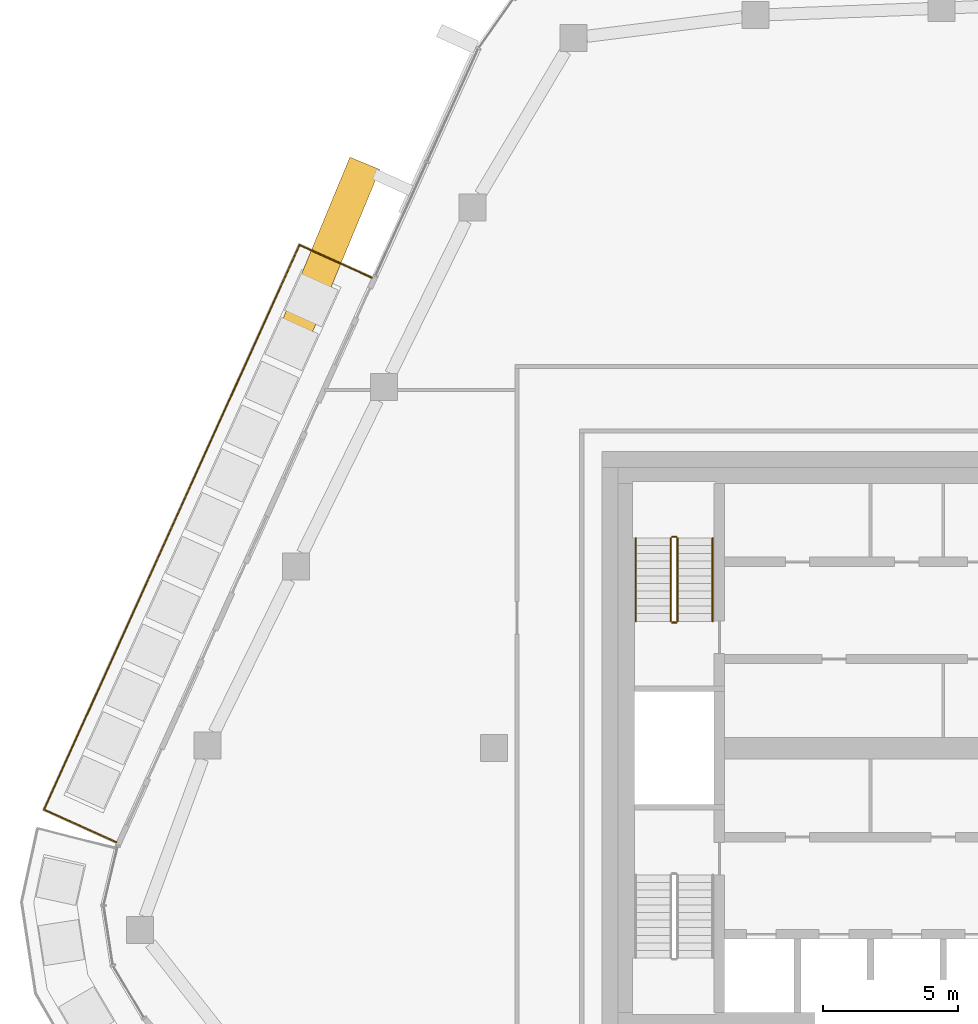
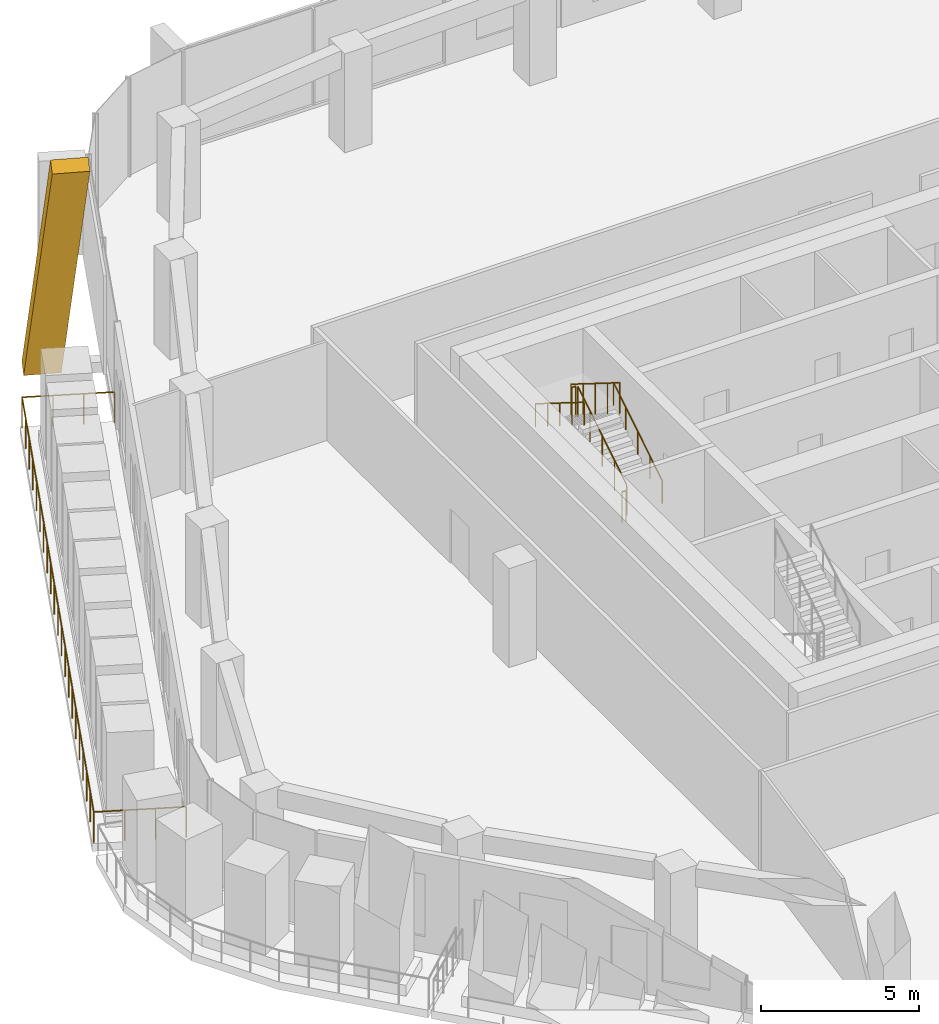
# One storey, part 20 of 23: 7 railings, 1 covering, 1 element without a shape of its own.
"""IFC4 building model written with IfcOpenShell, lengths in metres."""

from ifc_helpers import new_model, si_unit, direction, frame, origin, origin_2d, place, context, subcontext, project, spatial, rectangle, circle, extrude, material, layer, layer_set, material_profile, profile_set, type_object, element, aggregate, save


model = new_model("IFC4")

# Units and contexts
model_context = context("Model", 3, precision=1e-05, world=origin(), true_north=direction((0.0, 1.0)))
body_context = subcontext(model_context, "Body", "Model", "MODEL_VIEW")
ifc_project = project(units=[si_unit("LENGTHUNIT", "METRE"), si_unit("AREAUNIT", "SQUARE_METRE"), si_unit("VOLUMEUNIT", "CUBIC_METRE"), si_unit("PLANEANGLEUNIT", "RADIAN"), si_unit("MASSUNIT", "GRAM", prefix="KILO")], contexts=[model_context])

# Site, building, storey
site_placement = place(None, origin())
site = spatial("IfcSite", under=ifc_project, at=site_placement, CompositionType="ELEMENT")
building_placement = place(site_placement, origin())
building = spatial("IfcBuilding", under=site, at=building_placement, Name="Dongbaek Canopy Tower", CompositionType="ELEMENT")
storey_placement = place(building_placement, frame((0.0, 0.0, 327.800048828125)))
storey = spatial("IfcBuildingStorey", under=building, at=storey_placement, Name="L70", CompositionType="ELEMENT", Elevation=327.800048828125)

# Railing
ifc_material_1 = material(Name="Stainless steel", Category="steel")
railing_type_1 = type_object("IfcRailingType", Name="Balcony balustrade 1200", PredefinedType="BALUSTRADE", material=ifc_material_1)
railing_1_placement = place(storey_placement, frame((-22.535400390625, 17.43603515625, 0.0)))
element("IfcRailing", 1, at=railing_1_placement, inside=storey, type_object=railing_type_1, Name="Balcony guard L70 2", PredefinedType="BALUSTRADE", context=body_context, shape_type="SweptSolid", body=[
    extrude(circle(Radius=0.02392578125, at=origin_2d()), frame((0.0, 0.0, 1.17578125), z_axis=(-0.911124256747, 0.412131761414, 0.0), x_axis=(-0.412131761414, -0.911124256747, 0.0)), (0.0, 0.0, 1.0), 2.93994140625),
    extrude(circle(Radius=0.02392578125, at=origin_2d()), frame((-2.6787109375, 1.211669921875, 1.17578125), z_axis=(-0.412124594667, -0.911127498471, 0.0), x_axis=(0.911127498471, -0.412124594667, 0.0)), (0.0, 0.0, 1.0), 22.97021484375),
    extrude(circle(Radius=0.02392578125, at=origin_2d()), frame((-12.145263671875, -19.717041015625, 1.17578125), z_axis=(0.911124256747, -0.412131761414, 0.0), x_axis=(0.412131761414, 0.911124256747, 0.0)), (0.0, 0.0, 1.0), 2.93994140625),
    extrude(circle(Radius=0.02099609375, at=origin_2d()), origin(), (0.0, 0.0, 1.0), 1.15185546875),
    extrude(circle(Radius=0.02099609375, at=origin_2d()), frame((-0.892822265625, 0.40380859375, 0.0)), (0.0, 0.0, 1.0), 1.15185546875),
    extrude(circle(Radius=0.02099609375, at=origin_2d()), frame((-1.785888671875, 0.807861328125, 0.0)), (0.0, 0.0, 1.0), 1.15185546875),
    extrude(circle(Radius=0.02099609375, at=origin_2d()), frame((-2.6787109375, 1.211669921875, 0.0)), (0.0, 0.0, 1.0), 1.15185546875),
    extrude(circle(Radius=0.02099609375, at=origin_2d()), frame((-3.152099609375, 0.165283203125, 0.0)), (0.0, 0.0, 1.0), 1.15185546875),
    extrude(circle(Radius=0.02099609375, at=origin_2d()), frame((-3.62548828125, -0.881103515625, 0.0)), (0.0, 0.0, 1.0), 1.15185546875),
    extrude(circle(Radius=0.02099609375, at=origin_2d()), frame((-4.0986328125, -1.927734375, 0.0)), (0.0, 0.0, 1.0), 1.15185546875),
    extrude(circle(Radius=0.02099609375, at=origin_2d()), frame((-4.572021484375, -2.97412109375, 0.0)), (0.0, 0.0, 1.0), 1.15185546875),
    extrude(circle(Radius=0.02099609375, at=origin_2d()), frame((-5.04541015625, -4.0205078125, 0.0)), (0.0, 0.0, 1.0), 1.15185546875),
    extrude(circle(Radius=0.02099609375, at=origin_2d()), frame((-5.5185546875, -5.06689453125, 0.0)), (0.0, 0.0, 1.0), 1.15185546875),
    extrude(circle(Radius=0.02099609375, at=origin_2d()), frame((-5.991943359375, -6.11328125, 0.0)), (0.0, 0.0, 1.0), 1.15185546875),
    extrude(circle(Radius=0.02099609375, at=origin_2d()), frame((-6.46533203125, -7.159912109375, 0.0)), (0.0, 0.0, 1.0), 1.15185546875),
    extrude(circle(Radius=0.02099609375, at=origin_2d()), frame((-6.938720703125, -8.206298828125, 0.0)), (0.0, 0.0, 1.0), 1.15185546875),
    extrude(circle(Radius=0.02099609375, at=origin_2d()), frame((-7.412109375, -9.252685546875, 0.0)), (0.0, 0.0, 1.0), 1.15185546875),
    extrude(circle(Radius=0.02099609375, at=origin_2d()), frame((-7.88525390625, -10.299072265625, 0.0)), (0.0, 0.0, 1.0), 1.15185546875),
    extrude(circle(Radius=0.02099609375, at=origin_2d()), frame((-8.358642578125, -11.345458984375, 0.0)), (0.0, 0.0, 1.0), 1.15185546875),
    extrude(circle(Radius=0.02099609375, at=origin_2d()), frame((-8.83203125, -12.39208984375, 0.0)), (0.0, 0.0, 1.0), 1.15185546875),
    extrude(circle(Radius=0.02099609375, at=origin_2d()), frame((-9.30517578125, -13.4384765625, 0.0)), (0.0, 0.0, 1.0), 1.15185546875),
    extrude(circle(Radius=0.02099609375, at=origin_2d()), frame((-9.778564453125, -14.48486328125, 0.0)), (0.0, 0.0, 1.0), 1.15185546875),
    extrude(circle(Radius=0.02099609375, at=origin_2d()), frame((-10.251953125, -15.53125, 0.0)), (0.0, 0.0, 1.0), 1.15185546875),
    extrude(circle(Radius=0.02099609375, at=origin_2d()), frame((-10.725341796875, -16.57763671875, 0.0)), (0.0, 0.0, 1.0), 1.15185546875),
    extrude(circle(Radius=0.02099609375, at=origin_2d()), frame((-11.19873046875, -17.624267578125, 0.0)), (0.0, 0.0, 1.0), 1.15185546875),
    extrude(circle(Radius=0.02099609375, at=origin_2d()), frame((-11.671875, -18.670654296875, 0.0)), (0.0, 0.0, 1.0), 1.15185546875),
    extrude(circle(Radius=0.02099609375, at=origin_2d()), frame((-12.145263671875, -19.717041015625, 0.0)), (0.0, 0.0, 1.0), 1.15185546875),
    extrude(circle(Radius=0.02099609375, at=origin_2d()), frame((-11.25244140625, -20.120849609375, 0.0)), (0.0, 0.0, 1.0), 1.15185546875),
    extrude(circle(Radius=0.02099609375, at=origin_2d()), frame((-10.359375, -20.52490234375, 0.0)), (0.0, 0.0, 1.0), 1.15185546875),
    extrude(circle(Radius=0.02099609375, at=origin_2d()), frame((-9.466552734375, -20.9287109375, 0.0)), (0.0, 0.0, 1.0), 1.15185546875),
])

# Curtain wall, covering
ifc_material_2 = material(Name="Aluminium 6063-T6 pale anodised", Category="aluminium")
ifc_layer = layer(ifc_material_2, 0.199951171875)
ifc_layer_set = layer_set([ifc_layer], Name="CW-1 unitised tower curtain wall")
curtain_wall_type = type_object("IfcCurtainWallType", Name="CW-1 unitised tower curtain wall", PredefinedType="NOTDEFINED", material=ifc_layer_set)
curtain_wall_placement = place(storey_placement, origin())
curtain_wall = element("IfcCurtainWall", 2, at=curtain_wall_placement, inside=storey, type_object=curtain_wall_type, Name="CW-1 curtain wall F2.1", PredefinedType="NOTDEFINED")
ifc_material_3 = material(Name="Aluminium 6063-T6 pale metal fin", Category="aluminium")
ifc_material_profile = material_profile(ifc_material_3, rectangle(XDim=1.199951171875, YDim=0.5, at=origin_2d()), Name="Crease fin CF1 500 x 1200 pale metal")
ifc_profile_set = profile_set([ifc_material_profile], Name="Aluminium 6063-T6 pale metal fin")
covering_type = type_object("IfcCoveringType", Name="Crease fin CF1 500 x 1200 pale metal", PredefinedType="CLADDING", material=ifc_profile_set)
covering_placement = place(storey_placement, frame((-22.872314453125, 21.471435546875, -0.18994140625), z_axis=(-0.185034183206, -0.446324775463, 0.875532150097), x_axis=(0.923762110122, -0.382966792166, 0.0)))
covering = element("IfcCovering", 3, at=covering_placement, type_object=covering_type, Name="Crease fin L70 L73 F2", PredefinedType="CLADDING", context=body_context, shape_type="SweptSolid", body=[
    extrude(rectangle(XDim=1.199951171875, YDim=0.5, at=origin_2d()), origin(), (0.0, 0.0, 1.0), 14.39111328125),
])
aggregate(curtain_wall, [covering])

# Railings
ifc_material_4 = material(Name="Stainless steel tube and balusters", Category="steel")
railing_type_2 = type_object("IfcRailingType", Name="Stair guard 1200", PredefinedType="GUARDRAIL", material=ifc_material_4)
railing_2_placement = place(storey_placement, frame((-11.199951171875, 4.699951171875, 0.175048828125)))
element("IfcRailing", 4, at=railing_2_placement, inside=storey, type_object=railing_type_2, Name="L70 ST-C stair guard 1", PredefinedType="GUARDRAIL", context=body_context, shape_type="SweptSolid", body=[
    extrude(circle(Radius=0.02392578125, at=origin_2d()), frame((0.0, 0.0, 1.17578125), z_axis=(0.0, 0.848028513186, 0.529950602248), x_axis=(-1.0, 0.0, 0.0)), (0.0, 0.0, 1.0), 3.632080078125),
    extrude(circle(Radius=0.02099609375, at=origin_2d()), origin(), (0.0, 0.0, 1.0), 1.15185546875),
    extrude(circle(Radius=0.02099609375, at=origin_2d()), frame((0.0, 0.77001953125, 0.481201171875)), (0.0, 0.0, 1.0), 1.15185546875),
    extrude(circle(Radius=0.02099609375, at=origin_2d()), frame((0.0, 1.5400390625, 0.96240234375)), (0.0, 0.0, 1.0), 1.15185546875),
    extrude(circle(Radius=0.02099609375, at=origin_2d()), frame((0.0, 2.31005859375, 1.443603515625)), (0.0, 0.0, 1.0), 1.15185546875),
    extrude(circle(Radius=0.02099609375, at=origin_2d()), frame((0.0, 3.080078125, 1.9248046875)), (0.0, 0.0, 1.0), 1.15185546875),
])
railing_3_placement = place(storey_placement, frame((-11.25, 7.830078125, 2.099853515625)))
element("IfcRailing", 5, at=railing_3_placement, inside=storey, type_object=railing_type_2, Name="L70 ST-C stair guard 2", PredefinedType="GUARDRAIL", context=body_context, shape_type="SweptSolid", body=[
    extrude(circle(Radius=0.02392578125, at=origin_2d()), frame((0.0, 0.0, 1.17578125), z_axis=(-1.0, 0.0, 0.0), x_axis=(0.0, -1.0, 0.0)), (0.0, 0.0, 1.0), 0.14990234375),
    extrude(circle(Radius=0.02099609375, at=origin_2d()), origin(), (0.0, 0.0, 1.0), 1.15185546875),
    extrude(circle(Radius=0.02099609375, at=origin_2d()), frame((-0.14990234375, 0.0, 0.0)), (0.0, 0.0, 1.0), 1.15185546875),
])
railing_4_placement = place(storey_placement, frame((-11.449951171875, 7.780029296875, 2.27490234375)))
element("IfcRailing", 6, at=railing_4_placement, inside=storey, type_object=railing_type_2, Name="L70 ST-C stair guard 3", PredefinedType="GUARDRAIL", context=body_context, shape_type="SweptSolid", body=[
    extrude(circle(Radius=0.02392578125, at=origin_2d()), frame((0.0, 0.0, 1.17578125), z_axis=(0.0, -0.847998304005, 0.529998940003), x_axis=(1.0, 0.0, 0.0)), (0.0, 0.0, 1.0), 3.632080078125),
    extrude(circle(Radius=0.02099609375, at=origin_2d()), origin(), (0.0, 0.0, 1.0), 1.15185546875),
    extrude(circle(Radius=0.02099609375, at=origin_2d()), frame((0.0, -0.77001953125, 0.481201171875)), (0.0, 0.0, 1.0), 1.15185546875),
    extrude(circle(Radius=0.02099609375, at=origin_2d()), frame((0.0, -1.5400390625, 0.96240234375)), (0.0, 0.0, 1.0), 1.15185546875),
    extrude(circle(Radius=0.02099609375, at=origin_2d()), frame((0.0, -2.31005859375, 1.44384765625)), (0.0, 0.0, 1.0), 1.15185546875),
    extrude(circle(Radius=0.02099609375, at=origin_2d()), frame((0.0, -3.080078125, 1.925048828125)), (0.0, 0.0, 1.0), 1.15185546875),
])
railing_5_placement = place(storey_placement, frame((-11.25, 4.64990234375, 0.0)))
element("IfcRailing", 7, at=railing_5_placement, inside=storey, type_object=railing_type_2, Name="L70 ST-C stair guard 4", PredefinedType="GUARDRAIL", context=body_context, shape_type="SweptSolid", body=[
    extrude(circle(Radius=0.02392578125, at=origin_2d()), frame((0.0, 0.0, 1.17578125), z_axis=(-1.0, 0.0, 0.0), x_axis=(0.0, -1.0, 0.0)), (0.0, 0.0, 1.0), 0.14990234375),
    extrude(circle(Radius=0.02099609375, at=origin_2d()), origin(), (0.0, 0.0, 1.0), 1.15185546875),
    extrude(circle(Radius=0.02099609375, at=origin_2d()), frame((-0.14990234375, 0.0, 0.0)), (0.0, 0.0, 1.0), 1.15185546875),
])
ifc_material_5 = material(Name="Stainless steel tube", Category="steel")
railing_type_3 = type_object("IfcRailingType", Name="Stair handrail 900", PredefinedType="HANDRAIL", material=ifc_material_5)
railing_6_placement = place(storey_placement, frame((-9.89990234375, 4.699951171875, 0.175048828125)))
element("IfcRailing", 8, at=railing_6_placement, inside=storey, type_object=railing_type_3, Name="L70 ST-C stair handrail 1", PredefinedType="HANDRAIL", context=body_context, shape_type="SweptSolid", body=[
    extrude(circle(Radius=0.02392578125, at=origin_2d()), frame((0.0, 0.0, 0.8759765625), z_axis=(0.0, 0.848028513186, 0.529950602248), x_axis=(-1.0, 0.0, 0.0)), (0.0, 0.0, 1.0), 3.632080078125),
    extrude(circle(Radius=0.02099609375, at=origin_2d()), origin(), (0.0, 0.0, 1.0), 0.851806640625),
    extrude(circle(Radius=0.02099609375, at=origin_2d()), frame((0.0, 0.77001953125, 0.481201171875)), (0.0, 0.0, 1.0), 0.851806640625),
    extrude(circle(Radius=0.02099609375, at=origin_2d()), frame((0.0, 1.5400390625, 0.96240234375)), (0.0, 0.0, 1.0), 0.851806640625),
    extrude(circle(Radius=0.02099609375, at=origin_2d()), frame((0.0, 2.31005859375, 1.443603515625)), (0.0, 0.0, 1.0), 0.851806640625),
    extrude(circle(Radius=0.02099609375, at=origin_2d()), frame((0.0, 3.080078125, 1.9248046875)), (0.0, 0.0, 1.0), 0.851806640625),
])
railing_7_placement = place(storey_placement, frame((-12.75, 7.780029296875, 2.27490234375)))
element("IfcRailing", 9, at=railing_7_placement, inside=storey, type_object=railing_type_3, Name="L70 ST-C stair handrail 2", PredefinedType="HANDRAIL", context=body_context, shape_type="SweptSolid", body=[
    extrude(circle(Radius=0.02392578125, at=origin_2d()), frame((0.0, 0.0, 0.8759765625), z_axis=(0.0, -0.847998304005, 0.529998940003), x_axis=(1.0, 0.0, 0.0)), (0.0, 0.0, 1.0), 3.632080078125),
    extrude(circle(Radius=0.02099609375, at=origin_2d()), origin(), (0.0, 0.0, 1.0), 0.851806640625),
    extrude(circle(Radius=0.02099609375, at=origin_2d()), frame((0.0, -0.77001953125, 0.481201171875)), (0.0, 0.0, 1.0), 0.851806640625),
    extrude(circle(Radius=0.02099609375, at=origin_2d()), frame((0.0, -1.5400390625, 0.96240234375)), (0.0, 0.0, 1.0), 0.851806640625),
    extrude(circle(Radius=0.02099609375, at=origin_2d()), frame((0.0, -2.31005859375, 1.44384765625)), (0.0, 0.0, 1.0), 0.851806640625),
    extrude(circle(Radius=0.02099609375, at=origin_2d()), frame((0.0, -3.080078125, 1.925048828125)), (0.0, 0.0, 1.0), 0.851806640625),
])

save(model, "model.ifc")
